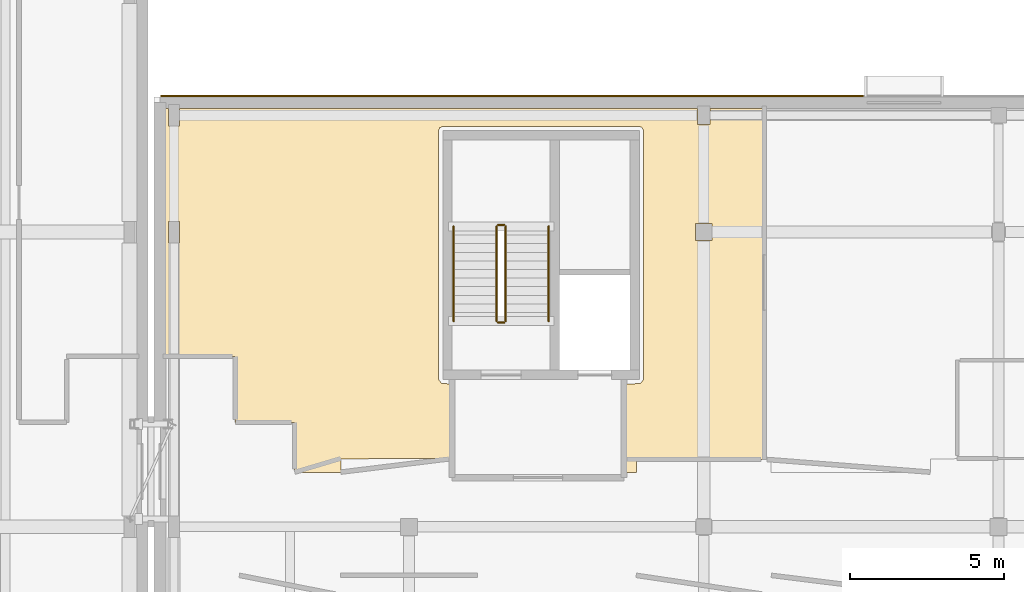
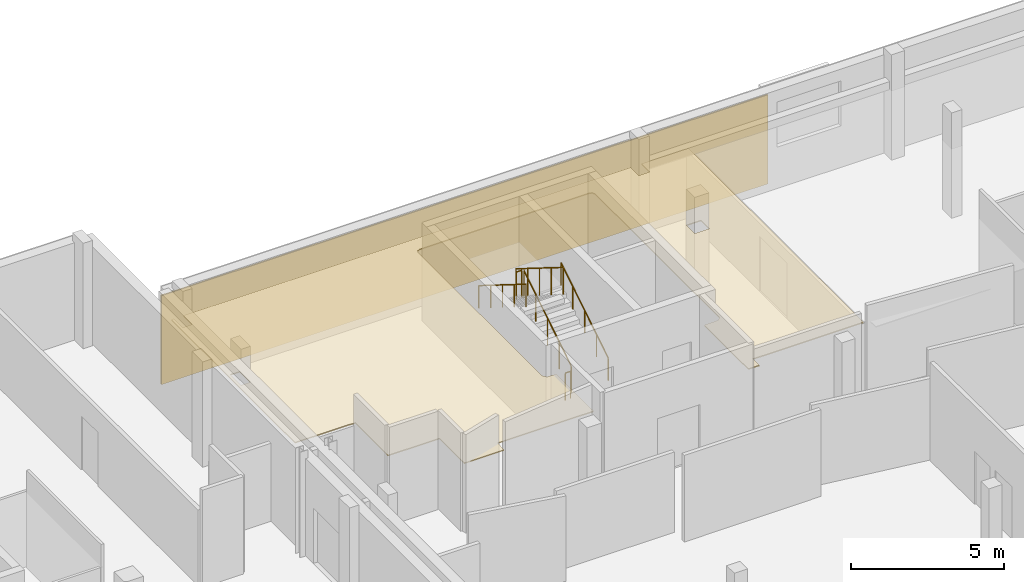
# One storey, part 77 of 84: 6 railings, 2 coverings.
"""IFC4 building model written with IfcOpenShell, lengths in metres."""

from ifc_helpers import new_model, si_unit, direction, frame, origin, origin_2d, place, context, subcontext, project, spatial, polyline, rectangle, circle, outline, extrude, material, layer, layer_set, type_object, element, save


model = new_model("IFC4")

# Units and contexts
model_context = context("Model", 3, precision=1e-05, world=origin(), true_north=direction((0.0, 1.0)))
body_context = subcontext(model_context, "Body", "Model", "MODEL_VIEW")
ifc_project = project(units=[si_unit("LENGTHUNIT", "METRE"), si_unit("AREAUNIT", "SQUARE_METRE"), si_unit("VOLUMEUNIT", "CUBIC_METRE"), si_unit("PLANEANGLEUNIT", "RADIAN"), si_unit("MASSUNIT", "GRAM", prefix="KILO")], contexts=[model_context])

# Site, building, storey
site_placement = place(None, origin())
site = spatial("IfcSite", under=ifc_project, at=site_placement, CompositionType="ELEMENT")
building_placement = place(site_placement, origin())
building = spatial("IfcBuilding", under=site, at=building_placement, Name="Mzevani Central Library", CompositionType="ELEMENT")
storey_placement = place(building_placement, frame((0.0, 0.0, 5.39990234375)))
storey = spatial("IfcBuildingStorey", under=building, at=storey_placement, Name="L01", CompositionType="ELEMENT", Elevation=5.39990234375)

# Railings
ifc_material_1 = material(Name="Brushed stainless steel rail", Category="steel")
railing_type_1 = type_object("IfcRailingType", Name="Interior Gallery and Stair Guard 1100", PredefinedType="BALUSTRADE", material=ifc_material_1)
railing_1_placement = place(storey_placement, frame((57.550048828125, 106.699951171875, 0.175048828125)))
element("IfcRailing", 1, at=railing_1_placement, inside=storey, type_object=railing_type_1, Name="L01 ST-05 stair guard 1", PredefinedType="BALUSTRADE", context=body_context, shape_type="SweptSolid", body=[
    extrude(circle(Radius=0.02392578125, at=origin_2d()), frame((0.0, 0.0, 1.076171875), z_axis=(0.0, 0.847998304005, 0.529998940003), x_axis=(-1.0, 0.0, 0.0)), (0.0, 0.0, 1.0), 3.632080078125),
    extrude(circle(Radius=0.02099609375, at=origin_2d()), origin(), (0.0, 0.0, 1.0), 1.052001953125),
    extrude(circle(Radius=0.02099609375, at=origin_2d()), frame((0.0, 0.77001953125, 0.481201171875)), (0.0, 0.0, 1.0), 1.052001953125),
    extrude(circle(Radius=0.02099609375, at=origin_2d()), frame((0.0, 1.5400390625, 0.96240234375)), (0.0, 0.0, 1.0), 1.052001953125),
    extrude(circle(Radius=0.02099609375, at=origin_2d()), frame((0.0, 2.31005859375, 1.44384765625)), (0.0, 0.0, 1.0), 1.052001953125),
    extrude(circle(Radius=0.02099609375, at=origin_2d()), frame((0.0, 3.080078125, 1.925048828125)), (0.0, 0.0, 1.0), 1.052001953125),
])
railing_2_placement = place(storey_placement, frame((57.5, 109.830078125, 2.10009765625)))
element("IfcRailing", 2, at=railing_2_placement, inside=storey, type_object=railing_type_1, Name="L01 ST-05 stair guard 2", PredefinedType="BALUSTRADE", context=body_context, shape_type="SweptSolid", body=[
    extrude(circle(Radius=0.02392578125, at=origin_2d()), frame((0.0, 0.0, 1.076171875), z_axis=(-1.0, 0.0, 0.0), x_axis=(0.0, -1.0, 0.0)), (0.0, 0.0, 1.0), 0.199951171875),
    extrude(circle(Radius=0.02099609375, at=origin_2d()), origin(), (0.0, 0.0, 1.0), 1.052001953125),
    extrude(circle(Radius=0.02099609375, at=origin_2d()), frame((-0.199951171875, 0.0, 0.0)), (0.0, 0.0, 1.0), 1.052001953125),
])
railing_3_placement = place(storey_placement, frame((57.25, 109.780029296875, 2.275146484375)))
element("IfcRailing", 3, at=railing_3_placement, inside=storey, type_object=railing_type_1, Name="L01 ST-05 stair guard 3", PredefinedType="BALUSTRADE", context=body_context, shape_type="SweptSolid", body=[
    extrude(circle(Radius=0.02392578125, at=origin_2d()), frame((0.0, 0.0, 1.076171875), z_axis=(0.0, -0.847998304005, 0.529998940003), x_axis=(1.0, 0.0, 0.0)), (0.0, 0.0, 1.0), 3.632080078125),
    extrude(circle(Radius=0.02099609375, at=origin_2d()), origin(), (0.0, 0.0, 1.0), 1.052001953125),
    extrude(circle(Radius=0.02099609375, at=origin_2d()), frame((0.0, -0.77001953125, 0.481201171875)), (0.0, 0.0, 1.0), 1.052001953125),
    extrude(circle(Radius=0.02099609375, at=origin_2d()), frame((0.0, -1.5400390625, 0.96240234375)), (0.0, 0.0, 1.0), 1.052001953125),
    extrude(circle(Radius=0.02099609375, at=origin_2d()), frame((0.0, -2.31005859375, 1.44384765625)), (0.0, 0.0, 1.0), 1.052001953125),
    extrude(circle(Radius=0.02099609375, at=origin_2d()), frame((0.0, -3.080078125, 1.925048828125)), (0.0, 0.0, 1.0), 1.052001953125),
])
railing_4_placement = place(storey_placement, frame((57.5, 106.64990234375, 0.0)))
element("IfcRailing", 4, at=railing_4_placement, inside=storey, type_object=railing_type_1, Name="L01 ST-05 stair guard 4", PredefinedType="BALUSTRADE", context=body_context, shape_type="SweptSolid", body=[
    extrude(circle(Radius=0.02392578125, at=origin_2d()), frame((0.0, 0.0, 1.076171875), z_axis=(-1.0, 0.0, 0.0), x_axis=(0.0, -1.0, 0.0)), (0.0, 0.0, 1.0), 0.199951171875),
    extrude(circle(Radius=0.02099609375, at=origin_2d()), origin(), (0.0, 0.0, 1.0), 1.052001953125),
    extrude(circle(Radius=0.02099609375, at=origin_2d()), frame((-0.199951171875, 0.0, 0.0)), (0.0, 0.0, 1.0), 1.052001953125),
])

# Coverings
ifc_material_2 = material(Name="Limestone ashlar cladding", Category="masonry")
ifc_layer_1 = layer(ifc_material_2, 0.050048828125, Name="Limestone Ashlar Spandrel Cladding")
ifc_layer_set_1 = layer_set([ifc_layer_1], Name="Limestone ashlar cladding")
covering_type_1 = type_object("IfcCoveringType", Name="Limestone Ashlar Spandrel Cladding", PredefinedType="CLADDING", material=ifc_layer_set_1)
covering_1_placement = place(storey_placement, frame((57.75439453125, 114.02392578125, 0.0), z_axis=(0.0, 0.0, 1.0), x_axis=(1.0, 0.0, 0.0)))
element("IfcCovering", 5, at=covering_1_placement, inside=storey, type_object=covering_type_1, Name="L01 Warm-White Facade Pier 1 (EW4-V3-L01-0045)", PredefinedType="CLADDING", context=body_context, shape_type="SweptSolid", body=[
    extrude(rectangle(XDim=22.888916015625, YDim=0.050048828125, at=origin_2d()), origin(), (0.0, 0.0, 1.0), 3.550048828125),
])
ifc_material_3 = material(Name="Mineral wool acoustic ceiling")
ifc_layer_2 = layer(ifc_material_3, 0.0400390625, Name="Perforated Timber Acoustic Ceiling")
ifc_layer_set_2 = layer_set([ifc_layer_2], Name="Mineral wool acoustic ceiling")
covering_type_2 = type_object("IfcCoveringType", Name="Perforated Timber Acoustic Ceiling", PredefinedType="CEILING", material=ifc_layer_set_2)
covering_2_placement = place(storey_placement, frame((0.0, 0.0, 2.72998046875)))
element("IfcCovering", 6, at=covering_2_placement, inside=storey, type_object=covering_type_2, Name="L01 Terraced Court Reading Balcony Acoustic Ceiling", PredefinedType="CEILING", context=body_context, shape_type="SweptSolid", body=[
    extrude(outline(polyline([(61.801025390625, 101.77001953125), (61.389892578125, 101.779052734375), (61.389892578125, 104.64990234375), (61.9248046875, 104.662841796875), (62.039306640625, 104.789306640625), (62.0400390625, 112.897705078125), (61.98779296875, 113.008056640625), (61.898193359375, 113.0400390625), (55.501953125, 113.0400390625), (55.401611328125, 112.998291015625), (55.360107421875, 112.89794921875), (55.360107421875, 104.80322265625), (55.461669921875, 104.66650390625), (55.809814453125, 104.65185546875), (55.80908203125, 102.22119140625), (52.18505859375, 102.215087890625), (52.177978515625, 101.7705078125), (50.679931640625, 101.77001953125), (50.669921875, 103.389892578125), (48.7412109375, 103.395263671875), (48.739990234375, 105.5400390625), (46.470458984375, 105.547119140625), (46.472412109375, 113.626220703125), (46.574951171875, 113.6298828125), (46.574951171875, 113.050048828125), (46.925048828125, 113.050048828125), (46.925048828125, 113.6298828125), (63.800048828125, 113.6298828125), (63.800048828125, 113.10009765625), (64.199951171875, 113.10009765625), (64.199951171875, 113.6298828125), (65.97119140625, 113.627685546875), (65.974609375, 102.197021484375), (61.81005859375, 102.18994140625), (61.801025390625, 101.77001953125)]), holes=[polyline([(46.925048828125, 109.25), (46.925048828125, 109.949951171875), (46.574951171875, 109.949951171875), (46.574951171875, 109.25), (46.925048828125, 109.25)]), polyline([(63.72509765625, 109.875), (63.72509765625, 109.324951171875), (64.27490234375, 109.324951171875), (64.27490234375, 109.875), (63.72509765625, 109.875)])]), origin(), (0.0, 0.0, 1.0), 0.0400390625),
])

# Railings
railing_type_2 = type_object("IfcRailingType", Name="Stair Wall Handrail 920", PredefinedType="HANDRAIL", material=ifc_material_1)
railing_5_placement = place(storey_placement, frame((58.949951171875, 106.699951171875, 0.175048828125)))
element("IfcRailing", 7, at=railing_5_placement, inside=storey, type_object=railing_type_2, Name="L01 ST-05 stair handrail 1", PredefinedType="HANDRAIL", context=body_context, shape_type="SweptSolid", body=[
    extrude(circle(Radius=0.02392578125, at=origin_2d()), frame((0.0, 0.0, 0.89599609375), z_axis=(0.0, 0.847998304005, 0.529998940003), x_axis=(-1.0, 0.0, 0.0)), (0.0, 0.0, 1.0), 3.632080078125),
    extrude(circle(Radius=0.02099609375, at=origin_2d()), origin(), (0.0, 0.0, 1.0), 0.871826171875),
    extrude(circle(Radius=0.02099609375, at=origin_2d()), frame((0.0, 0.77001953125, 0.481201171875)), (0.0, 0.0, 1.0), 0.871826171875),
    extrude(circle(Radius=0.02099609375, at=origin_2d()), frame((0.0, 1.5400390625, 0.96240234375)), (0.0, 0.0, 1.0), 0.871826171875),
    extrude(circle(Radius=0.02099609375, at=origin_2d()), frame((0.0, 2.31005859375, 1.44384765625)), (0.0, 0.0, 1.0), 0.871826171875),
    extrude(circle(Radius=0.02099609375, at=origin_2d()), frame((0.0, 3.080078125, 1.925048828125)), (0.0, 0.0, 1.0), 0.871826171875),
])
railing_6_placement = place(storey_placement, frame((55.85009765625, 109.780029296875, 2.275146484375)))
element("IfcRailing", 8, at=railing_6_placement, inside=storey, type_object=railing_type_2, Name="L01 ST-05 stair handrail 2", PredefinedType="HANDRAIL", context=body_context, shape_type="SweptSolid", body=[
    extrude(circle(Radius=0.02392578125, at=origin_2d()), frame((0.0, 0.0, 0.89599609375), z_axis=(0.0, -0.847998304005, 0.529998940003), x_axis=(1.0, 0.0, 0.0)), (0.0, 0.0, 1.0), 3.632080078125),
    extrude(circle(Radius=0.02099609375, at=origin_2d()), origin(), (0.0, 0.0, 1.0), 0.871826171875),
    extrude(circle(Radius=0.02099609375, at=origin_2d()), frame((0.0, -0.77001953125, 0.481201171875)), (0.0, 0.0, 1.0), 0.871826171875),
    extrude(circle(Radius=0.02099609375, at=origin_2d()), frame((0.0, -1.5400390625, 0.96240234375)), (0.0, 0.0, 1.0), 0.871826171875),
    extrude(circle(Radius=0.02099609375, at=origin_2d()), frame((0.0, -2.31005859375, 1.44384765625)), (0.0, 0.0, 1.0), 0.871826171875),
    extrude(circle(Radius=0.02099609375, at=origin_2d()), frame((0.0, -3.080078125, 1.925048828125)), (0.0, 0.0, 1.0), 0.871826171875),
])

save(model, "model.ifc")
